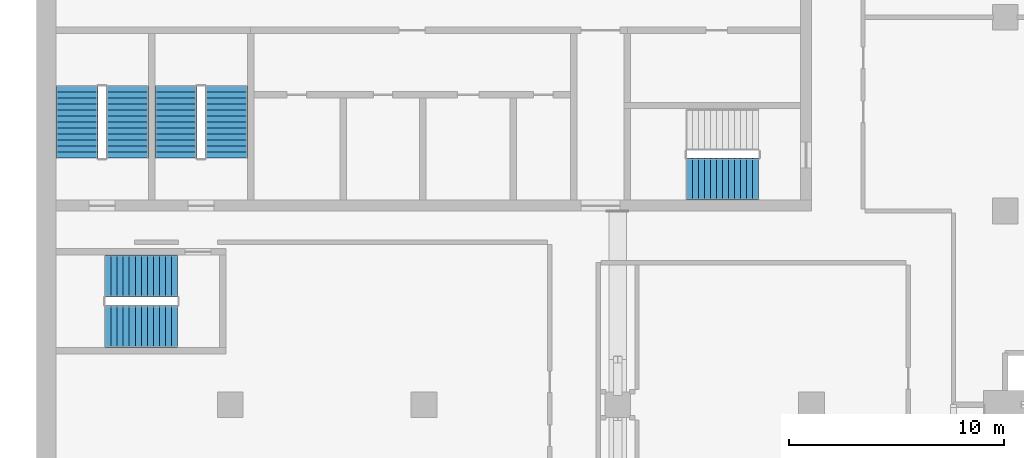
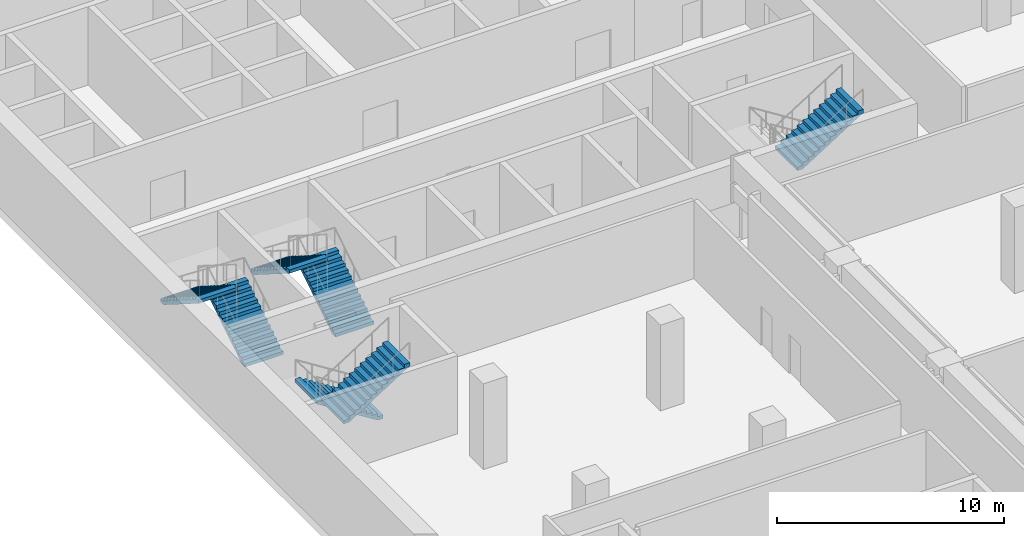
# One storey, part 12 of 20: 7 stair flights, 4 elements without a shape of their own.
"""IFC4 building model written with IfcOpenShell, lengths in metres."""

from ifc_helpers import new_model, si_unit, direction, frame, origin, place, context, subcontext, project, spatial, polyline, outline, extrude, material, type_object, element, aggregate, save


model = new_model("IFC4")

# Units and contexts
model_context = context("Model", 3, precision=1e-05, world=origin(), true_north=direction((0.0, 1.0)))
body_context = subcontext(model_context, "Body", "Model", "MODEL_VIEW")
ifc_project = project(units=[si_unit("LENGTHUNIT", "METRE"), si_unit("AREAUNIT", "SQUARE_METRE"), si_unit("VOLUMEUNIT", "CUBIC_METRE"), si_unit("PLANEANGLEUNIT", "RADIAN"), si_unit("MASSUNIT", "GRAM", prefix="KILO")], contexts=[model_context])

# Site, building, storey
site_placement = place(None, origin())
site = spatial("IfcSite", under=ifc_project, at=site_placement, CompositionType="ELEMENT")
building_placement = place(site_placement, origin())
building = spatial("IfcBuilding", under=site, at=building_placement, Name="Hunhe Ridgeline Campus", CompositionType="ELEMENT")
storey_placement = place(building_placement, frame((0.0, 0.0, 178.199951171875)))
storey = spatial("IfcBuildingStorey", under=building, at=storey_placement, Name="L45", CompositionType="ELEMENT", Elevation=178.199951171875)

# Stair, stair flight
ifc_material = material(Name="Concrete C40", Category="concrete")
stair_type = type_object("IfcStairType", Name="Reinforced concrete dog-leg stair 1950 Concrete C40", PredefinedType="HALF_TURN_STAIR", material=ifc_material)
stair_1_placement = place(storey_placement, origin())
stair_1 = element("IfcStair", 1, at=stair_1_placement, inside=storey, type_object=stair_type, Name="L45 S2", PredefinedType="HALF_TURN_STAIR")
stair_flight_type = type_object("IfcStairFlightType", Name="Reinforced concrete stair flight 1950 Concrete C40", PredefinedType="STRAIGHT", material=ifc_material)
stair_flight_1_placement = place(storey_placement, frame((30.18994140625, 64.47509765625, 2.300048828125), z_axis=(0.0, 0.0, 1.0), x_axis=(1.0, 0.0, 0.0)))
stair_flight_1 = element("IfcStairFlight", 2, at=stair_flight_1_placement, type_object=stair_flight_type, Name="ST2 flight 2", NumberOfRisers=13, NumberOfTreads=12, PredefinedType="STRAIGHT", RiserHeight=0.176923077, TreadLength=0.28, context=body_context, shape_type="SweptSolid", body=[
    extrude(outline(polyline([(0.0, 0.0), (0.0, 0.177001953125), (0.280029296875, 0.177001953125), (0.280029296875, 0.353759765625), (0.56005859375, 0.353759765625), (0.56005859375, 0.53076171875), (0.840087890625, 0.53076171875), (0.840087890625, 0.707763671875), (1.1201171875, 0.707763671875), (1.1201171875, 0.884521484375), (1.39990234375, 0.884521484375), (1.39990234375, 1.0615234375), (1.679931640625, 1.0615234375), (1.679931640625, 1.238525390625), (1.9599609375, 1.238525390625), (1.9599609375, 1.415283203125), (2.239990234375, 1.415283203125), (2.239990234375, 1.59228515625), (2.52001953125, 1.59228515625), (2.52001953125, 1.769287109375), (2.800048828125, 1.769287109375), (2.800048828125, 1.946044921875), (3.080078125, 1.946044921875), (3.080078125, 2.123046875), (3.360107421875, 2.123046875), (3.360107421875, 2.300048828125), (3.360107421875, 1.94580078125), (0.280517578125, 0.0), (0.0, 0.0)])), frame((0.0, 0.97509765625, 0.0), z_axis=(0.0, -1.0, 0.0), x_axis=(1.0, 0.0, 0.0)), (0.0, 0.0, 1.0), 1.949951171875),
    extrude(outline(polyline([(0.030029296875, 0.030029296875), (0.030029296875, 0.14697265625), (0.31005859375, 0.14697265625), (0.31005859375, 0.32373046875), (0.590087890625, 0.32373046875), (0.590087890625, 0.500732421875), (0.8701171875, 0.500732421875), (0.8701171875, 0.677734375), (1.14990234375, 0.677734375), (1.14990234375, 0.8544921875), (1.429931640625, 0.8544921875), (1.429931640625, 1.031494140625), (1.7099609375, 1.031494140625), (1.7099609375, 1.20849609375), (1.989990234375, 1.20849609375), (1.989990234375, 1.385498046875), (2.27001953125, 1.385498046875), (2.27001953125, 1.562255859375), (2.550048828125, 1.562255859375), (2.550048828125, 1.7392578125), (2.830078125, 1.7392578125), (2.830078125, 1.916259765625), (3.110107421875, 1.916259765625), (3.110107421875, 2.093017578125), (3.330078125, 2.093017578125), (3.330078125, 1.96240234375), (0.27197265625, 0.030029296875), (0.030029296875, 0.030029296875)])), frame((0.0, -0.070068359375, 0.0), z_axis=(0.0, -1.0, 0.0), x_axis=(1.0, 0.0, 0.0)), (0.0, 0.0, 1.0), 0.019775390625),
    extrude(outline(polyline([(0.030029296875, 0.030029296875), (0.030029296875, 0.14697265625), (0.31005859375, 0.14697265625), (0.31005859375, 0.32373046875), (0.590087890625, 0.32373046875), (0.590087890625, 0.500732421875), (0.8701171875, 0.500732421875), (0.8701171875, 0.677734375), (1.14990234375, 0.677734375), (1.14990234375, 0.8544921875), (1.429931640625, 0.8544921875), (1.429931640625, 1.031494140625), (1.7099609375, 1.031494140625), (1.7099609375, 1.20849609375), (1.989990234375, 1.20849609375), (1.989990234375, 1.385498046875), (2.27001953125, 1.385498046875), (2.27001953125, 1.562255859375), (2.550048828125, 1.562255859375), (2.550048828125, 1.7392578125), (2.830078125, 1.7392578125), (2.830078125, 1.916259765625), (3.110107421875, 1.916259765625), (3.110107421875, 2.093017578125), (3.330078125, 2.093017578125), (3.330078125, 1.96240234375), (0.27197265625, 0.030029296875), (0.030029296875, 0.030029296875)])), frame((0.0, 0.010009765625, 0.0), z_axis=(0.0, -1.0, 0.0), x_axis=(1.0, 0.0, 0.0)), (0.0, 0.0, 1.0), 0.019775390625),
    extrude(outline(polyline([(0.030029296875, 0.030029296875), (0.030029296875, 0.14697265625), (0.31005859375, 0.14697265625), (0.31005859375, 0.32373046875), (0.590087890625, 0.32373046875), (0.590087890625, 0.500732421875), (0.8701171875, 0.500732421875), (0.8701171875, 0.677734375), (1.14990234375, 0.677734375), (1.14990234375, 0.8544921875), (1.429931640625, 0.8544921875), (1.429931640625, 1.031494140625), (1.7099609375, 1.031494140625), (1.7099609375, 1.20849609375), (1.989990234375, 1.20849609375), (1.989990234375, 1.385498046875), (2.27001953125, 1.385498046875), (2.27001953125, 1.562255859375), (2.550048828125, 1.562255859375), (2.550048828125, 1.7392578125), (2.830078125, 1.7392578125), (2.830078125, 1.916259765625), (3.110107421875, 1.916259765625), (3.110107421875, 2.093017578125), (3.330078125, 2.093017578125), (3.330078125, 1.96240234375), (0.27197265625, 0.030029296875), (0.030029296875, 0.030029296875)])), frame((0.0, 0.090087890625, 0.0), z_axis=(0.0, -1.0, 0.0), x_axis=(1.0, 0.0, 0.0)), (0.0, 0.0, 1.0), 0.019775390625),
])
aggregate(stair_1, [stair_flight_1])

# Stair, stair flights
stair_2_placement = place(storey_placement, origin())
stair_2 = element("IfcStair", 3, at=stair_2_placement, inside=storey, type_object=stair_type, Name="L45 S3", PredefinedType="HALF_TURN_STAIR")
stair_flight_2_placement = place(storey_placement, frame((4.22509765625, 65.449951171875, 0.0), z_axis=(0.0, 0.0, 1.0), x_axis=(0.0, 1.0, 0.0)))
stair_flight_2 = element("IfcStairFlight", 4, at=stair_flight_2_placement, type_object=stair_flight_type, Name="ST3 flight 1", NumberOfRisers=13, NumberOfTreads=12, PredefinedType="STRAIGHT", RiserHeight=0.176923077, TreadLength=0.28, context=body_context, shape_type="SweptSolid", body=[
    extrude(outline(polyline([(0.0, 0.0), (0.0, 0.177001953125), (0.280029296875, 0.177001953125), (0.280029296875, 0.353759765625), (0.56005859375, 0.353759765625), (0.56005859375, 0.53076171875), (0.840087890625, 0.53076171875), (0.840087890625, 0.707763671875), (1.1201171875, 0.707763671875), (1.1201171875, 0.884521484375), (1.39990234375, 0.884521484375), (1.39990234375, 1.0615234375), (1.679931640625, 1.0615234375), (1.679931640625, 1.238525390625), (1.9599609375, 1.238525390625), (1.9599609375, 1.415283203125), (2.239990234375, 1.415283203125), (2.239990234375, 1.59228515625), (2.52001953125, 1.59228515625), (2.52001953125, 1.769287109375), (2.800048828125, 1.769287109375), (2.800048828125, 1.946044921875), (3.080078125, 1.946044921875), (3.080078125, 2.123046875), (3.360107421875, 2.123046875), (3.360107421875, 2.300048828125), (3.360107421875, 1.94580078125), (0.280517578125, 0.0), (0.0, 0.0)])), frame((0.0, 0.97509765625, 0.0), z_axis=(0.0, -1.0, 0.0), x_axis=(1.0, 0.0, 0.0)), (0.0, 0.0, 1.0), 1.949951171875),
    extrude(outline(polyline([(0.030029296875, 0.030029296875), (0.030029296875, 0.14697265625), (0.31005859375, 0.14697265625), (0.31005859375, 0.32373046875), (0.590087890625, 0.32373046875), (0.590087890625, 0.500732421875), (0.8701171875, 0.500732421875), (0.8701171875, 0.677734375), (1.14990234375, 0.677734375), (1.14990234375, 0.8544921875), (1.429931640625, 0.8544921875), (1.429931640625, 1.031494140625), (1.7099609375, 1.031494140625), (1.7099609375, 1.20849609375), (1.989990234375, 1.20849609375), (1.989990234375, 1.385498046875), (2.27001953125, 1.385498046875), (2.27001953125, 1.562255859375), (2.550048828125, 1.562255859375), (2.550048828125, 1.7392578125), (2.830078125, 1.7392578125), (2.830078125, 1.916259765625), (3.110107421875, 1.916259765625), (3.110107421875, 2.093017578125), (3.330078125, 2.093017578125), (3.330078125, 1.96240234375), (0.27197265625, 0.030029296875), (0.030029296875, 0.030029296875)])), frame((0.0, -0.070068359375, 0.0), z_axis=(0.0, -1.0, 0.0), x_axis=(1.0, 0.0, 0.0)), (0.0, 0.0, 1.0), 0.019775390625),
    extrude(outline(polyline([(0.030029296875, 0.030029296875), (0.030029296875, 0.14697265625), (0.31005859375, 0.14697265625), (0.31005859375, 0.32373046875), (0.590087890625, 0.32373046875), (0.590087890625, 0.500732421875), (0.8701171875, 0.500732421875), (0.8701171875, 0.677734375), (1.14990234375, 0.677734375), (1.14990234375, 0.8544921875), (1.429931640625, 0.8544921875), (1.429931640625, 1.031494140625), (1.7099609375, 1.031494140625), (1.7099609375, 1.20849609375), (1.989990234375, 1.20849609375), (1.989990234375, 1.385498046875), (2.27001953125, 1.385498046875), (2.27001953125, 1.562255859375), (2.550048828125, 1.562255859375), (2.550048828125, 1.7392578125), (2.830078125, 1.7392578125), (2.830078125, 1.916259765625), (3.110107421875, 1.916259765625), (3.110107421875, 2.093017578125), (3.330078125, 2.093017578125), (3.330078125, 1.96240234375), (0.27197265625, 0.030029296875), (0.030029296875, 0.030029296875)])), frame((0.0, 0.010009765625, 0.0), z_axis=(0.0, -1.0, 0.0), x_axis=(1.0, 0.0, 0.0)), (0.0, 0.0, 1.0), 0.019775390625),
    extrude(outline(polyline([(0.030029296875, 0.030029296875), (0.030029296875, 0.14697265625), (0.31005859375, 0.14697265625), (0.31005859375, 0.32373046875), (0.590087890625, 0.32373046875), (0.590087890625, 0.500732421875), (0.8701171875, 0.500732421875), (0.8701171875, 0.677734375), (1.14990234375, 0.677734375), (1.14990234375, 0.8544921875), (1.429931640625, 0.8544921875), (1.429931640625, 1.031494140625), (1.7099609375, 1.031494140625), (1.7099609375, 1.20849609375), (1.989990234375, 1.20849609375), (1.989990234375, 1.385498046875), (2.27001953125, 1.385498046875), (2.27001953125, 1.562255859375), (2.550048828125, 1.562255859375), (2.550048828125, 1.7392578125), (2.830078125, 1.7392578125), (2.830078125, 1.916259765625), (3.110107421875, 1.916259765625), (3.110107421875, 2.093017578125), (3.330078125, 2.093017578125), (3.330078125, 1.96240234375), (0.27197265625, 0.030029296875), (0.030029296875, 0.030029296875)])), frame((0.0, 0.090087890625, 0.0), z_axis=(0.0, -1.0, 0.0), x_axis=(1.0, 0.0, 0.0)), (0.0, 0.0, 1.0), 0.019775390625),
])
stair_flight_3_placement = place(storey_placement, frame((1.875, 68.81005859375, 2.300048828125), z_axis=(0.0, 0.0, 1.0), x_axis=(0.0, -1.0, 0.0)))
stair_flight_3 = element("IfcStairFlight", 5, at=stair_flight_3_placement, type_object=stair_flight_type, Name="ST3 flight 2", NumberOfRisers=13, NumberOfTreads=12, PredefinedType="STRAIGHT", RiserHeight=0.176923077, TreadLength=0.28, context=body_context, shape_type="SweptSolid", body=[
    extrude(outline(polyline([(0.0, 0.0), (0.0, 0.177001953125), (0.280029296875, 0.177001953125), (0.280029296875, 0.353759765625), (0.56005859375, 0.353759765625), (0.56005859375, 0.53076171875), (0.840087890625, 0.53076171875), (0.840087890625, 0.707763671875), (1.1201171875, 0.707763671875), (1.1201171875, 0.884521484375), (1.39990234375, 0.884521484375), (1.39990234375, 1.0615234375), (1.679931640625, 1.0615234375), (1.679931640625, 1.238525390625), (1.9599609375, 1.238525390625), (1.9599609375, 1.415283203125), (2.239990234375, 1.415283203125), (2.239990234375, 1.59228515625), (2.52001953125, 1.59228515625), (2.52001953125, 1.769287109375), (2.800048828125, 1.769287109375), (2.800048828125, 1.946044921875), (3.080078125, 1.946044921875), (3.080078125, 2.123046875), (3.360107421875, 2.123046875), (3.360107421875, 2.300048828125), (3.360107421875, 1.94580078125), (0.280517578125, 0.0), (0.0, 0.0)])), frame((0.0, 0.97509765625, 0.0), z_axis=(0.0, -1.0, 0.0), x_axis=(1.0, 0.0, 0.0)), (0.0, 0.0, 1.0), 1.949951171875),
    extrude(outline(polyline([(0.030029296875, 0.030029296875), (0.030029296875, 0.14697265625), (0.31005859375, 0.14697265625), (0.31005859375, 0.32373046875), (0.590087890625, 0.32373046875), (0.590087890625, 0.500732421875), (0.8701171875, 0.500732421875), (0.8701171875, 0.677734375), (1.14990234375, 0.677734375), (1.14990234375, 0.8544921875), (1.429931640625, 0.8544921875), (1.429931640625, 1.031494140625), (1.7099609375, 1.031494140625), (1.7099609375, 1.20849609375), (1.989990234375, 1.20849609375), (1.989990234375, 1.385498046875), (2.27001953125, 1.385498046875), (2.27001953125, 1.562255859375), (2.550048828125, 1.562255859375), (2.550048828125, 1.7392578125), (2.830078125, 1.7392578125), (2.830078125, 1.916259765625), (3.110107421875, 1.916259765625), (3.110107421875, 2.093017578125), (3.330078125, 2.093017578125), (3.330078125, 1.96240234375), (0.27197265625, 0.030029296875), (0.030029296875, 0.030029296875)])), frame((0.0, -0.070068359375, 0.0), z_axis=(0.0, -1.0, 0.0), x_axis=(1.0, 0.0, 0.0)), (0.0, 0.0, 1.0), 0.019775390625),
    extrude(outline(polyline([(0.030029296875, 0.030029296875), (0.030029296875, 0.14697265625), (0.31005859375, 0.14697265625), (0.31005859375, 0.32373046875), (0.590087890625, 0.32373046875), (0.590087890625, 0.500732421875), (0.8701171875, 0.500732421875), (0.8701171875, 0.677734375), (1.14990234375, 0.677734375), (1.14990234375, 0.8544921875), (1.429931640625, 0.8544921875), (1.429931640625, 1.031494140625), (1.7099609375, 1.031494140625), (1.7099609375, 1.20849609375), (1.989990234375, 1.20849609375), (1.989990234375, 1.385498046875), (2.27001953125, 1.385498046875), (2.27001953125, 1.562255859375), (2.550048828125, 1.562255859375), (2.550048828125, 1.7392578125), (2.830078125, 1.7392578125), (2.830078125, 1.916259765625), (3.110107421875, 1.916259765625), (3.110107421875, 2.093017578125), (3.330078125, 2.093017578125), (3.330078125, 1.96240234375), (0.27197265625, 0.030029296875), (0.030029296875, 0.030029296875)])), frame((0.0, 0.010009765625, 0.0), z_axis=(0.0, -1.0, 0.0), x_axis=(1.0, 0.0, 0.0)), (0.0, 0.0, 1.0), 0.019775390625),
    extrude(outline(polyline([(0.030029296875, 0.030029296875), (0.030029296875, 0.14697265625), (0.31005859375, 0.14697265625), (0.31005859375, 0.32373046875), (0.590087890625, 0.32373046875), (0.590087890625, 0.500732421875), (0.8701171875, 0.500732421875), (0.8701171875, 0.677734375), (1.14990234375, 0.677734375), (1.14990234375, 0.8544921875), (1.429931640625, 0.8544921875), (1.429931640625, 1.031494140625), (1.7099609375, 1.031494140625), (1.7099609375, 1.20849609375), (1.989990234375, 1.20849609375), (1.989990234375, 1.385498046875), (2.27001953125, 1.385498046875), (2.27001953125, 1.562255859375), (2.550048828125, 1.562255859375), (2.550048828125, 1.7392578125), (2.830078125, 1.7392578125), (2.830078125, 1.916259765625), (3.110107421875, 1.916259765625), (3.110107421875, 2.093017578125), (3.330078125, 2.093017578125), (3.330078125, 1.96240234375), (0.27197265625, 0.030029296875), (0.030029296875, 0.030029296875)])), frame((0.0, 0.090087890625, 0.0), z_axis=(0.0, -1.0, 0.0), x_axis=(1.0, 0.0, 0.0)), (0.0, 0.0, 1.0), 0.019775390625),
])
aggregate(stair_2, [stair_flight_2, stair_flight_3])

stair_3_placement = place(storey_placement, origin())
stair_3 = element("IfcStair", 6, at=stair_3_placement, inside=storey, type_object=stair_type, Name="L45 S4", PredefinedType="HALF_TURN_STAIR")
stair_flight_4_placement = place(storey_placement, frame((8.824951171875, 65.449951171875, 0.0), z_axis=(0.0, 0.0, 1.0), x_axis=(0.0, 1.0, 0.0)))
stair_flight_4 = element("IfcStairFlight", 7, at=stair_flight_4_placement, type_object=stair_flight_type, Name="ST4 flight 1", NumberOfRisers=13, NumberOfTreads=12, PredefinedType="STRAIGHT", RiserHeight=0.176923077, TreadLength=0.28, context=body_context, shape_type="SweptSolid", body=[
    extrude(outline(polyline([(0.0, 0.0), (0.0, 0.177001953125), (0.280029296875, 0.177001953125), (0.280029296875, 0.353759765625), (0.56005859375, 0.353759765625), (0.56005859375, 0.53076171875), (0.840087890625, 0.53076171875), (0.840087890625, 0.707763671875), (1.1201171875, 0.707763671875), (1.1201171875, 0.884521484375), (1.39990234375, 0.884521484375), (1.39990234375, 1.0615234375), (1.679931640625, 1.0615234375), (1.679931640625, 1.238525390625), (1.9599609375, 1.238525390625), (1.9599609375, 1.415283203125), (2.239990234375, 1.415283203125), (2.239990234375, 1.59228515625), (2.52001953125, 1.59228515625), (2.52001953125, 1.769287109375), (2.800048828125, 1.769287109375), (2.800048828125, 1.946044921875), (3.080078125, 1.946044921875), (3.080078125, 2.123046875), (3.360107421875, 2.123046875), (3.360107421875, 2.300048828125), (3.360107421875, 1.94580078125), (0.280517578125, 0.0), (0.0, 0.0)])), frame((0.0, 0.97509765625, 0.0), z_axis=(0.0, -1.0, 0.0), x_axis=(1.0, 0.0, 0.0)), (0.0, 0.0, 1.0), 1.949951171875),
    extrude(outline(polyline([(0.030029296875, 0.030029296875), (0.030029296875, 0.14697265625), (0.31005859375, 0.14697265625), (0.31005859375, 0.32373046875), (0.590087890625, 0.32373046875), (0.590087890625, 0.500732421875), (0.8701171875, 0.500732421875), (0.8701171875, 0.677734375), (1.14990234375, 0.677734375), (1.14990234375, 0.8544921875), (1.429931640625, 0.8544921875), (1.429931640625, 1.031494140625), (1.7099609375, 1.031494140625), (1.7099609375, 1.20849609375), (1.989990234375, 1.20849609375), (1.989990234375, 1.385498046875), (2.27001953125, 1.385498046875), (2.27001953125, 1.562255859375), (2.550048828125, 1.562255859375), (2.550048828125, 1.7392578125), (2.830078125, 1.7392578125), (2.830078125, 1.916259765625), (3.110107421875, 1.916259765625), (3.110107421875, 2.093017578125), (3.330078125, 2.093017578125), (3.330078125, 1.96240234375), (0.27197265625, 0.030029296875), (0.030029296875, 0.030029296875)])), frame((0.0, -0.070068359375, 0.0), z_axis=(0.0, -1.0, 0.0), x_axis=(1.0, 0.0, 0.0)), (0.0, 0.0, 1.0), 0.019775390625),
    extrude(outline(polyline([(0.030029296875, 0.030029296875), (0.030029296875, 0.14697265625), (0.31005859375, 0.14697265625), (0.31005859375, 0.32373046875), (0.590087890625, 0.32373046875), (0.590087890625, 0.500732421875), (0.8701171875, 0.500732421875), (0.8701171875, 0.677734375), (1.14990234375, 0.677734375), (1.14990234375, 0.8544921875), (1.429931640625, 0.8544921875), (1.429931640625, 1.031494140625), (1.7099609375, 1.031494140625), (1.7099609375, 1.20849609375), (1.989990234375, 1.20849609375), (1.989990234375, 1.385498046875), (2.27001953125, 1.385498046875), (2.27001953125, 1.562255859375), (2.550048828125, 1.562255859375), (2.550048828125, 1.7392578125), (2.830078125, 1.7392578125), (2.830078125, 1.916259765625), (3.110107421875, 1.916259765625), (3.110107421875, 2.093017578125), (3.330078125, 2.093017578125), (3.330078125, 1.96240234375), (0.27197265625, 0.030029296875), (0.030029296875, 0.030029296875)])), frame((0.0, 0.010009765625, 0.0), z_axis=(0.0, -1.0, 0.0), x_axis=(1.0, 0.0, 0.0)), (0.0, 0.0, 1.0), 0.019775390625),
    extrude(outline(polyline([(0.030029296875, 0.030029296875), (0.030029296875, 0.14697265625), (0.31005859375, 0.14697265625), (0.31005859375, 0.32373046875), (0.590087890625, 0.32373046875), (0.590087890625, 0.500732421875), (0.8701171875, 0.500732421875), (0.8701171875, 0.677734375), (1.14990234375, 0.677734375), (1.14990234375, 0.8544921875), (1.429931640625, 0.8544921875), (1.429931640625, 1.031494140625), (1.7099609375, 1.031494140625), (1.7099609375, 1.20849609375), (1.989990234375, 1.20849609375), (1.989990234375, 1.385498046875), (2.27001953125, 1.385498046875), (2.27001953125, 1.562255859375), (2.550048828125, 1.562255859375), (2.550048828125, 1.7392578125), (2.830078125, 1.7392578125), (2.830078125, 1.916259765625), (3.110107421875, 1.916259765625), (3.110107421875, 2.093017578125), (3.330078125, 2.093017578125), (3.330078125, 1.96240234375), (0.27197265625, 0.030029296875), (0.030029296875, 0.030029296875)])), frame((0.0, 0.090087890625, 0.0), z_axis=(0.0, -1.0, 0.0), x_axis=(1.0, 0.0, 0.0)), (0.0, 0.0, 1.0), 0.019775390625),
])
stair_flight_5_placement = place(storey_placement, frame((6.47509765625, 68.81005859375, 2.300048828125), z_axis=(0.0, 0.0, 1.0), x_axis=(0.0, -1.0, 0.0)))
stair_flight_5 = element("IfcStairFlight", 8, at=stair_flight_5_placement, type_object=stair_flight_type, Name="ST4 flight 2", NumberOfRisers=13, NumberOfTreads=12, PredefinedType="STRAIGHT", RiserHeight=0.176923077, TreadLength=0.28, context=body_context, shape_type="SweptSolid", body=[
    extrude(outline(polyline([(0.0, 0.0), (0.0, 0.177001953125), (0.280029296875, 0.177001953125), (0.280029296875, 0.353759765625), (0.56005859375, 0.353759765625), (0.56005859375, 0.53076171875), (0.840087890625, 0.53076171875), (0.840087890625, 0.707763671875), (1.1201171875, 0.707763671875), (1.1201171875, 0.884521484375), (1.39990234375, 0.884521484375), (1.39990234375, 1.0615234375), (1.679931640625, 1.0615234375), (1.679931640625, 1.238525390625), (1.9599609375, 1.238525390625), (1.9599609375, 1.415283203125), (2.239990234375, 1.415283203125), (2.239990234375, 1.59228515625), (2.52001953125, 1.59228515625), (2.52001953125, 1.769287109375), (2.800048828125, 1.769287109375), (2.800048828125, 1.946044921875), (3.080078125, 1.946044921875), (3.080078125, 2.123046875), (3.360107421875, 2.123046875), (3.360107421875, 2.300048828125), (3.360107421875, 1.94580078125), (0.280517578125, 0.0), (0.0, 0.0)])), frame((0.0, 0.97509765625, 0.0), z_axis=(0.0, -1.0, 0.0), x_axis=(1.0, 0.0, 0.0)), (0.0, 0.0, 1.0), 1.949951171875),
    extrude(outline(polyline([(0.030029296875, 0.030029296875), (0.030029296875, 0.14697265625), (0.31005859375, 0.14697265625), (0.31005859375, 0.32373046875), (0.590087890625, 0.32373046875), (0.590087890625, 0.500732421875), (0.8701171875, 0.500732421875), (0.8701171875, 0.677734375), (1.14990234375, 0.677734375), (1.14990234375, 0.8544921875), (1.429931640625, 0.8544921875), (1.429931640625, 1.031494140625), (1.7099609375, 1.031494140625), (1.7099609375, 1.20849609375), (1.989990234375, 1.20849609375), (1.989990234375, 1.385498046875), (2.27001953125, 1.385498046875), (2.27001953125, 1.562255859375), (2.550048828125, 1.562255859375), (2.550048828125, 1.7392578125), (2.830078125, 1.7392578125), (2.830078125, 1.916259765625), (3.110107421875, 1.916259765625), (3.110107421875, 2.093017578125), (3.330078125, 2.093017578125), (3.330078125, 1.96240234375), (0.27197265625, 0.030029296875), (0.030029296875, 0.030029296875)])), frame((0.0, -0.070068359375, 0.0), z_axis=(0.0, -1.0, 0.0), x_axis=(1.0, 0.0, 0.0)), (0.0, 0.0, 1.0), 0.019775390625),
    extrude(outline(polyline([(0.030029296875, 0.030029296875), (0.030029296875, 0.14697265625), (0.31005859375, 0.14697265625), (0.31005859375, 0.32373046875), (0.590087890625, 0.32373046875), (0.590087890625, 0.500732421875), (0.8701171875, 0.500732421875), (0.8701171875, 0.677734375), (1.14990234375, 0.677734375), (1.14990234375, 0.8544921875), (1.429931640625, 0.8544921875), (1.429931640625, 1.031494140625), (1.7099609375, 1.031494140625), (1.7099609375, 1.20849609375), (1.989990234375, 1.20849609375), (1.989990234375, 1.385498046875), (2.27001953125, 1.385498046875), (2.27001953125, 1.562255859375), (2.550048828125, 1.562255859375), (2.550048828125, 1.7392578125), (2.830078125, 1.7392578125), (2.830078125, 1.916259765625), (3.110107421875, 1.916259765625), (3.110107421875, 2.093017578125), (3.330078125, 2.093017578125), (3.330078125, 1.96240234375), (0.27197265625, 0.030029296875), (0.030029296875, 0.030029296875)])), frame((0.0, 0.010009765625, 0.0), z_axis=(0.0, -1.0, 0.0), x_axis=(1.0, 0.0, 0.0)), (0.0, 0.0, 1.0), 0.019775390625),
    extrude(outline(polyline([(0.030029296875, 0.030029296875), (0.030029296875, 0.14697265625), (0.31005859375, 0.14697265625), (0.31005859375, 0.32373046875), (0.590087890625, 0.32373046875), (0.590087890625, 0.500732421875), (0.8701171875, 0.500732421875), (0.8701171875, 0.677734375), (1.14990234375, 0.677734375), (1.14990234375, 0.8544921875), (1.429931640625, 0.8544921875), (1.429931640625, 1.031494140625), (1.7099609375, 1.031494140625), (1.7099609375, 1.20849609375), (1.989990234375, 1.20849609375), (1.989990234375, 1.385498046875), (2.27001953125, 1.385498046875), (2.27001953125, 1.562255859375), (2.550048828125, 1.562255859375), (2.550048828125, 1.7392578125), (2.830078125, 1.7392578125), (2.830078125, 1.916259765625), (3.110107421875, 1.916259765625), (3.110107421875, 2.093017578125), (3.330078125, 2.093017578125), (3.330078125, 1.96240234375), (0.27197265625, 0.030029296875), (0.030029296875, 0.030029296875)])), frame((0.0, 0.090087890625, 0.0), z_axis=(0.0, -1.0, 0.0), x_axis=(1.0, 0.0, 0.0)), (0.0, 0.0, 1.0), 0.019775390625),
])
aggregate(stair_3, [stair_flight_4, stair_flight_5])

stair_4_placement = place(storey_placement, origin())
stair_4 = element("IfcStair", 9, at=stair_4_placement, inside=storey, type_object=stair_type, Name="L45 W2", PredefinedType="HALF_TURN_STAIR")
stair_flight_6_placement = place(storey_placement, frame((6.550048828125, 59.97509765625, 0.0), z_axis=(0.0, 0.0, 1.0), x_axis=(-1.0, 0.0, 0.0)))
stair_flight_6 = element("IfcStairFlight", 10, at=stair_flight_6_placement, type_object=stair_flight_type, Name="ST12 flight 1", NumberOfRisers=13, NumberOfTreads=12, PredefinedType="STRAIGHT", RiserHeight=0.176923077, TreadLength=0.28, context=body_context, shape_type="SweptSolid", body=[
    extrude(outline(polyline([(0.0, 0.0), (0.0, 0.177001953125), (0.280029296875, 0.177001953125), (0.280029296875, 0.353759765625), (0.56005859375, 0.353759765625), (0.56005859375, 0.53076171875), (0.840087890625, 0.53076171875), (0.840087890625, 0.707763671875), (1.1201171875, 0.707763671875), (1.1201171875, 0.884521484375), (1.39990234375, 0.884521484375), (1.39990234375, 1.0615234375), (1.679931640625, 1.0615234375), (1.679931640625, 1.238525390625), (1.9599609375, 1.238525390625), (1.9599609375, 1.415283203125), (2.239990234375, 1.415283203125), (2.239990234375, 1.59228515625), (2.52001953125, 1.59228515625), (2.52001953125, 1.769287109375), (2.800048828125, 1.769287109375), (2.800048828125, 1.946044921875), (3.080078125, 1.946044921875), (3.080078125, 2.123046875), (3.360107421875, 2.123046875), (3.360107421875, 2.300048828125), (3.360107421875, 1.94580078125), (0.280517578125, 0.0), (0.0, 0.0)])), frame((0.0, 0.97509765625, 0.0), z_axis=(0.0, -1.0, 0.0), x_axis=(1.0, 0.0, 0.0)), (0.0, 0.0, 1.0), 1.949951171875),
    extrude(outline(polyline([(0.030029296875, 0.030029296875), (0.030029296875, 0.14697265625), (0.31005859375, 0.14697265625), (0.31005859375, 0.32373046875), (0.590087890625, 0.32373046875), (0.590087890625, 0.500732421875), (0.8701171875, 0.500732421875), (0.8701171875, 0.677734375), (1.14990234375, 0.677734375), (1.14990234375, 0.8544921875), (1.429931640625, 0.8544921875), (1.429931640625, 1.031494140625), (1.7099609375, 1.031494140625), (1.7099609375, 1.20849609375), (1.989990234375, 1.20849609375), (1.989990234375, 1.385498046875), (2.27001953125, 1.385498046875), (2.27001953125, 1.562255859375), (2.550048828125, 1.562255859375), (2.550048828125, 1.7392578125), (2.830078125, 1.7392578125), (2.830078125, 1.916259765625), (3.110107421875, 1.916259765625), (3.110107421875, 2.093017578125), (3.330078125, 2.093017578125), (3.330078125, 1.96240234375), (0.27197265625, 0.030029296875), (0.030029296875, 0.030029296875)])), frame((0.0, -0.070068359375, 0.0), z_axis=(0.0, -1.0, 0.0), x_axis=(1.0, 0.0, 0.0)), (0.0, 0.0, 1.0), 0.019775390625),
    extrude(outline(polyline([(0.030029296875, 0.030029296875), (0.030029296875, 0.14697265625), (0.31005859375, 0.14697265625), (0.31005859375, 0.32373046875), (0.590087890625, 0.32373046875), (0.590087890625, 0.500732421875), (0.8701171875, 0.500732421875), (0.8701171875, 0.677734375), (1.14990234375, 0.677734375), (1.14990234375, 0.8544921875), (1.429931640625, 0.8544921875), (1.429931640625, 1.031494140625), (1.7099609375, 1.031494140625), (1.7099609375, 1.20849609375), (1.989990234375, 1.20849609375), (1.989990234375, 1.385498046875), (2.27001953125, 1.385498046875), (2.27001953125, 1.562255859375), (2.550048828125, 1.562255859375), (2.550048828125, 1.7392578125), (2.830078125, 1.7392578125), (2.830078125, 1.916259765625), (3.110107421875, 1.916259765625), (3.110107421875, 2.093017578125), (3.330078125, 2.093017578125), (3.330078125, 1.96240234375), (0.27197265625, 0.030029296875), (0.030029296875, 0.030029296875)])), frame((0.0, 0.010009765625, 0.0), z_axis=(0.0, -1.0, 0.0), x_axis=(1.0, 0.0, 0.0)), (0.0, 0.0, 1.0), 0.019775390625),
    extrude(outline(polyline([(0.030029296875, 0.030029296875), (0.030029296875, 0.14697265625), (0.31005859375, 0.14697265625), (0.31005859375, 0.32373046875), (0.590087890625, 0.32373046875), (0.590087890625, 0.500732421875), (0.8701171875, 0.500732421875), (0.8701171875, 0.677734375), (1.14990234375, 0.677734375), (1.14990234375, 0.8544921875), (1.429931640625, 0.8544921875), (1.429931640625, 1.031494140625), (1.7099609375, 1.031494140625), (1.7099609375, 1.20849609375), (1.989990234375, 1.20849609375), (1.989990234375, 1.385498046875), (2.27001953125, 1.385498046875), (2.27001953125, 1.562255859375), (2.550048828125, 1.562255859375), (2.550048828125, 1.7392578125), (2.830078125, 1.7392578125), (2.830078125, 1.916259765625), (3.110107421875, 1.916259765625), (3.110107421875, 2.093017578125), (3.330078125, 2.093017578125), (3.330078125, 1.96240234375), (0.27197265625, 0.030029296875), (0.030029296875, 0.030029296875)])), frame((0.0, 0.090087890625, 0.0), z_axis=(0.0, -1.0, 0.0), x_axis=(1.0, 0.0, 0.0)), (0.0, 0.0, 1.0), 0.019775390625),
])
stair_flight_7_placement = place(storey_placement, frame((3.18994140625, 57.625, 2.300048828125), z_axis=(0.0, 0.0, 1.0), x_axis=(1.0, 0.0, 0.0)))
stair_flight_7 = element("IfcStairFlight", 11, at=stair_flight_7_placement, type_object=stair_flight_type, Name="ST12 flight 2", NumberOfRisers=13, NumberOfTreads=12, PredefinedType="STRAIGHT", RiserHeight=0.176923077, TreadLength=0.28, context=body_context, shape_type="SweptSolid", body=[
    extrude(outline(polyline([(0.0, 0.0), (0.0, 0.177001953125), (0.280029296875, 0.177001953125), (0.280029296875, 0.353759765625), (0.56005859375, 0.353759765625), (0.56005859375, 0.53076171875), (0.840087890625, 0.53076171875), (0.840087890625, 0.707763671875), (1.1201171875, 0.707763671875), (1.1201171875, 0.884521484375), (1.39990234375, 0.884521484375), (1.39990234375, 1.0615234375), (1.679931640625, 1.0615234375), (1.679931640625, 1.238525390625), (1.9599609375, 1.238525390625), (1.9599609375, 1.415283203125), (2.239990234375, 1.415283203125), (2.239990234375, 1.59228515625), (2.52001953125, 1.59228515625), (2.52001953125, 1.769287109375), (2.800048828125, 1.769287109375), (2.800048828125, 1.946044921875), (3.080078125, 1.946044921875), (3.080078125, 2.123046875), (3.360107421875, 2.123046875), (3.360107421875, 2.300048828125), (3.360107421875, 1.94580078125), (0.280517578125, 0.0), (0.0, 0.0)])), frame((0.0, 0.97509765625, 0.0), z_axis=(0.0, -1.0, 0.0), x_axis=(1.0, 0.0, 0.0)), (0.0, 0.0, 1.0), 1.949951171875),
    extrude(outline(polyline([(0.030029296875, 0.030029296875), (0.030029296875, 0.14697265625), (0.31005859375, 0.14697265625), (0.31005859375, 0.32373046875), (0.590087890625, 0.32373046875), (0.590087890625, 0.500732421875), (0.8701171875, 0.500732421875), (0.8701171875, 0.677734375), (1.14990234375, 0.677734375), (1.14990234375, 0.8544921875), (1.429931640625, 0.8544921875), (1.429931640625, 1.031494140625), (1.7099609375, 1.031494140625), (1.7099609375, 1.20849609375), (1.989990234375, 1.20849609375), (1.989990234375, 1.385498046875), (2.27001953125, 1.385498046875), (2.27001953125, 1.562255859375), (2.550048828125, 1.562255859375), (2.550048828125, 1.7392578125), (2.830078125, 1.7392578125), (2.830078125, 1.916259765625), (3.110107421875, 1.916259765625), (3.110107421875, 2.093017578125), (3.330078125, 2.093017578125), (3.330078125, 1.96240234375), (0.27197265625, 0.030029296875), (0.030029296875, 0.030029296875)])), frame((0.0, -0.070068359375, 0.0), z_axis=(0.0, -1.0, 0.0), x_axis=(1.0, 0.0, 0.0)), (0.0, 0.0, 1.0), 0.019775390625),
    extrude(outline(polyline([(0.030029296875, 0.030029296875), (0.030029296875, 0.14697265625), (0.31005859375, 0.14697265625), (0.31005859375, 0.32373046875), (0.590087890625, 0.32373046875), (0.590087890625, 0.500732421875), (0.8701171875, 0.500732421875), (0.8701171875, 0.677734375), (1.14990234375, 0.677734375), (1.14990234375, 0.8544921875), (1.429931640625, 0.8544921875), (1.429931640625, 1.031494140625), (1.7099609375, 1.031494140625), (1.7099609375, 1.20849609375), (1.989990234375, 1.20849609375), (1.989990234375, 1.385498046875), (2.27001953125, 1.385498046875), (2.27001953125, 1.562255859375), (2.550048828125, 1.562255859375), (2.550048828125, 1.7392578125), (2.830078125, 1.7392578125), (2.830078125, 1.916259765625), (3.110107421875, 1.916259765625), (3.110107421875, 2.093017578125), (3.330078125, 2.093017578125), (3.330078125, 1.96240234375), (0.27197265625, 0.030029296875), (0.030029296875, 0.030029296875)])), frame((0.0, 0.010009765625, 0.0), z_axis=(0.0, -1.0, 0.0), x_axis=(1.0, 0.0, 0.0)), (0.0, 0.0, 1.0), 0.019775390625),
    extrude(outline(polyline([(0.030029296875, 0.030029296875), (0.030029296875, 0.14697265625), (0.31005859375, 0.14697265625), (0.31005859375, 0.32373046875), (0.590087890625, 0.32373046875), (0.590087890625, 0.500732421875), (0.8701171875, 0.500732421875), (0.8701171875, 0.677734375), (1.14990234375, 0.677734375), (1.14990234375, 0.8544921875), (1.429931640625, 0.8544921875), (1.429931640625, 1.031494140625), (1.7099609375, 1.031494140625), (1.7099609375, 1.20849609375), (1.989990234375, 1.20849609375), (1.989990234375, 1.385498046875), (2.27001953125, 1.385498046875), (2.27001953125, 1.562255859375), (2.550048828125, 1.562255859375), (2.550048828125, 1.7392578125), (2.830078125, 1.7392578125), (2.830078125, 1.916259765625), (3.110107421875, 1.916259765625), (3.110107421875, 2.093017578125), (3.330078125, 2.093017578125), (3.330078125, 1.96240234375), (0.27197265625, 0.030029296875), (0.030029296875, 0.030029296875)])), frame((0.0, 0.090087890625, 0.0), z_axis=(0.0, -1.0, 0.0), x_axis=(1.0, 0.0, 0.0)), (0.0, 0.0, 1.0), 0.019775390625),
])
aggregate(stair_4, [stair_flight_6, stair_flight_7])

save(model, "model.ifc")
